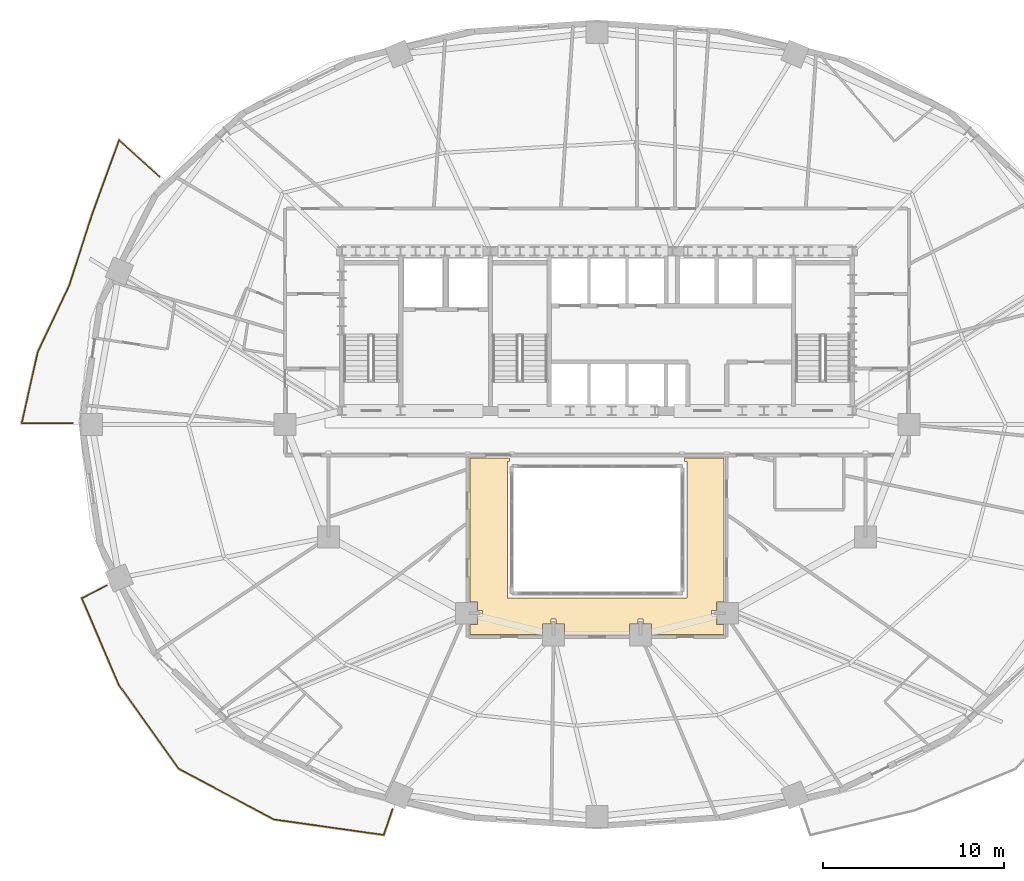
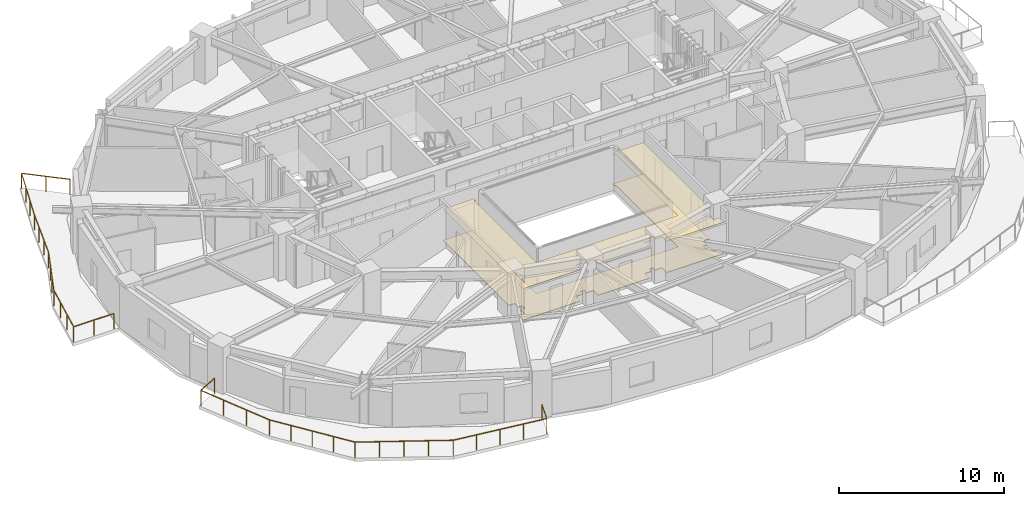
# One storey, part 12 of 14: 2 coverings, 2 railings.
"""IFC4 building model written with IfcOpenShell, lengths in metres."""

import ifcopenshell
import ifcopenshell.guid

model = None  # the IFC model being written
_history = None  # IfcOwnerHistory: only IFC2X3 demands one
_inside = {}  # id of a spatial element -> (the spatial element, [elements in it])
_under = {}  # id of a project, library or spatial element -> (it, [spatial elements below it])
_declared = {}  # id of a project -> (the project, [libraries it declares])
_typed = {}  # id of a type object -> (the type object, [elements of that type])
_made_of = {}  # id of a material, layer set ... -> (it, [elements and type objects made of it])


def new_model(schema):
    """Start an empty IFC model of exactly this schema.

    Asked for "IFC4X3", IfcOpenShell would pick the latest addendum, in which some entities
    have other attributes; the version numbers below select the first issue.
    IFC2X3 requires an IfcOwnerHistory on every rooted entity: one is made here for all.
    """
    global model, _history
    if schema == "IFC4X3":
        model = ifcopenshell.file(schema_version=(4, 3, 0, 0))
    else:
        model = ifcopenshell.file(schema=schema)
    _inside.clear()
    _under.clear()
    _declared.clear()
    _typed.clear()
    _made_of.clear()
    _history = None
    if model.schema == "IFC2X3":
        org = make("IfcOrganization", Name="unknown")
        user = make(
            "IfcPersonAndOrganization",
            ThePerson=make("IfcPerson", FamilyName="unknown"),
            TheOrganization=org,
        )
        app = make(
            "IfcApplication",
            ApplicationDeveloper=org,
            Version="unknown",
            ApplicationFullName="unknown",
            ApplicationIdentifier="unknown",
        )
        _history = make(
            "IfcOwnerHistory",
            OwningUser=user,
            OwningApplication=app,
            ChangeAction="ADDED",
            CreationDate=0,
        )
    return model


def make(cls, **values):
    """One entity of the class cls with the attributes given. An attribute that is None is left unset."""
    return model.create_entity(
        cls, **{name: value for name, value in values.items() if value is not None}
    )


def rooted(cls, **values):
    """An entity with a GlobalId (a new one), such as an element, a storey or a relation."""
    return make(cls, GlobalId=ifcopenshell.guid.new(), OwnerHistory=_history, **values)


def si_unit(unit_type, name, prefix=None):
    """IfcSIUnit, for example si_unit("LENGTHUNIT", "METRE", prefix="MILLI")."""
    return make("IfcSIUnit", UnitType=unit_type, Prefix=prefix, Name=name)


def assignment(units):
    """IfcUnitAssignment: the units of a project."""
    return None if units is None else make("IfcUnitAssignment", Units=units)


def point(xyz):
    """IfcCartesianPoint."""
    return None if xyz is None else make("IfcCartesianPoint", Coordinates=xyz)


def direction(xyz):
    """IfcDirection."""
    return None if xyz is None else make("IfcDirection", DirectionRatios=xyz)


def frame(location, z_axis=None, x_axis=None):
    """IfcAxis2Placement3D, a coordinate frame: its origin and axes. An axis left out is left unset."""
    return make(
        "IfcAxis2Placement3D",
        Location=point(location),
        Axis=direction(z_axis),
        RefDirection=direction(x_axis),
    )


def frame_2d(location, x_axis=None):
    """IfcAxis2Placement2D, a coordinate frame in the plane: its origin and x axis."""
    return make(
        "IfcAxis2Placement2D", Location=point(location), RefDirection=direction(x_axis)
    )


def origin():
    """The frame at (0, 0, 0) with its axes left unset."""
    return frame((0.0, 0.0, 0.0))


def origin_2d():
    """The frame at (0, 0) in the plane with its x axis left unset."""
    return frame_2d((0.0, 0.0))


def place(relative_to, where):
    """IfcLocalPlacement: puts the frame where relative to a parent placement (None: the world)."""
    return make(
        "IfcLocalPlacement", PlacementRelTo=relative_to, RelativePlacement=where
    )


def context(
    kind, dimensions, precision=None, world=None, true_north=None, identifier=None
):
    """IfcGeometricRepresentationContext, for example the 3D "Model" context."""
    return make(
        "IfcGeometricRepresentationContext",
        ContextIdentifier=identifier,
        ContextType=kind,
        CoordinateSpaceDimension=dimensions,
        Precision=precision,
        WorldCoordinateSystem=world,
        TrueNorth=true_north,
    )


def subcontext(parent, identifier, kind, view, scale=None):
    """IfcGeometricRepresentationSubContext, for example "Body" below "Model"."""
    return make(
        "IfcGeometricRepresentationSubContext",
        ContextIdentifier=identifier,
        ContextType=kind,
        ParentContext=parent,
        TargetScale=scale,
        TargetView=view,
    )


def project(units=None, contexts=None):
    """IfcProject with its units and contexts."""
    return rooted(
        "IfcProject",
        Name="project",
        RepresentationContexts=contexts,
        UnitsInContext=assignment(units),
    )


def spatial(cls, under=None, at=None, **own):
    """A site, building, storey or space (cls), placed at a placement, below another one or the project."""
    s = rooted(cls, ObjectPlacement=at, **own)
    if under is not None:
        _under.setdefault(under.id(), (under, []))[1].append(s)
    return s


def polyline(points):
    """IfcPolyline through the points."""
    return make("IfcPolyline", Points=[point(p) for p in points])


def profile(cls, at=None, kind="AREA", **sizes):
    """A parametric profile (cls). Its sizes go by their IFC names, for example OverallWidth=200.0."""
    return make(cls, ProfileType=kind, Position=at, **sizes)


def rectangle(**sizes):
    """IfcRectangleProfileDef."""
    return profile("IfcRectangleProfileDef", **sizes)


def outline(outer, holes=None, kind="AREA"):
    """IfcArbitraryClosedProfileDef: a profile drawn as a closed curve; with holes, ...WithVoids."""
    if holes is None:
        return make("IfcArbitraryClosedProfileDef", ProfileType=kind, OuterCurve=outer)
    return make(
        "IfcArbitraryProfileDefWithVoids",
        ProfileType=kind,
        OuterCurve=outer,
        InnerCurves=holes,
    )


def extrude(swept, where, along, depth):
    """IfcExtrudedAreaSolid: the profile swept, set in the frame where, extruded along a direction by depth."""
    return make(
        "IfcExtrudedAreaSolid",
        SweptArea=swept,
        Position=where,
        ExtrudedDirection=direction(along),
        Depth=depth,
    )


def shape(context_of_items, identifier, shape_type, items):
    """IfcShapeRepresentation: the items that make up one representation, for example the "Body"."""
    return make(
        "IfcShapeRepresentation",
        ContextOfItems=context_of_items,
        RepresentationIdentifier=identifier,
        RepresentationType=shape_type,
        Items=items,
    )


def material(Name=None, Category=None):
    """IfcMaterial."""
    return make("IfcMaterial", Name=Name, Category=Category)


def layer(
    of_material, thickness, ventilated=None, Name=None, Category=None, Priority=None
):
    """IfcMaterialLayer: one layer of a wall or slab, of a material (None: an air gap)."""
    return make(
        "IfcMaterialLayer",
        Material=of_material,
        LayerThickness=thickness,
        IsVentilated=ventilated,
        Name=Name,
        Category=Category,
        Priority=Priority,
    )


def layer_set(layers, Name=None):
    """IfcMaterialLayerSet."""
    return make("IfcMaterialLayerSet", MaterialLayers=layers, LayerSetName=Name)


def made_of(thing, what):
    """Note that an element or type object is made of a material, layer set ...; save() writes the relation."""
    if what is not None:
        _made_of.setdefault(what.id(), (what, []))[1].append(thing)
    return thing


def type_object(cls, material=None, **own):
    """A type object (cls), such as IfcWallType, which elements share."""
    return made_of(rooted(cls, **own), material)


def element(
    cls,
    number,
    at=None,
    inside=None,
    cuts=None,
    type_object=None,
    material=None,
    context=None,
    identifier="Body",
    shape_type=None,
    held_by="IfcProductDefinitionShape",
    body=None,
    shapes=None,
    **own,
):
    """One element of the class cls, such as IfcWall. Its Tag is "e" and its number.

    at: its placement. inside: the storey or other place that contains it. cuts: it is an
    opening in that element (IfcRelVoidsElement). A single representation is given by context,
    identifier, shape_type and body (its items); several are given by shapes. held_by: the class
    of the entity that holds the representations. save() writes the other relations.
    """
    e = rooted(cls, Tag="e%d" % number, ObjectPlacement=at, **own)
    if body is not None:
        shapes = [shape(context, identifier, shape_type, body)]
    if shapes is not None:
        e.Representation = make(held_by, Representations=shapes)
    if inside is not None:
        _inside.setdefault(inside.id(), (inside, []))[1].append(e)
    if cuts is not None:
        rooted(
            "IfcRelVoidsElement", RelatingBuildingElement=cuts, RelatedOpeningElement=e
        )
    if type_object is not None:
        _typed.setdefault(type_object.id(), (type_object, []))[1].append(e)
    return made_of(e, material)


def aggregate(whole, parts):
    """IfcRelAggregates: a whole, such as a stair, and the parts it consists of."""
    return rooted("IfcRelAggregates", RelatingObject=whole, RelatedObjects=parts)


def save(model, path):
    """Write the relations noted so far, then the file.

    IfcRelAggregates (storeys below a building ...), IfcRelContainedInSpatialStructure (elements
    in a storey), IfcRelDefinesByType, IfcRelAssociatesMaterial and IfcRelDeclares: one each for
    every whole, place, type object, material and project.
    """
    for whole, parts in _under.values():
        aggregate(whole, parts)
    for where, things in _inside.values():
        rooted(
            "IfcRelContainedInSpatialStructure",
            RelatedElements=things,
            RelatingStructure=where,
        )
    for kind, things in _typed.values():
        rooted("IfcRelDefinesByType", RelatedObjects=things, RelatingType=kind)
    for what, things in _made_of.values():
        rooted("IfcRelAssociatesMaterial", RelatedObjects=things, RelatingMaterial=what)
    for by, libraries in _declared.values():
        rooted("IfcRelDeclares", RelatingContext=by, RelatedDefinitions=libraries)
    model.write(path)


model = new_model("IFC4")

# Units and contexts
model_context = context("Model", 3, precision=1e-05, world=origin(), true_north=direction((0.0, 1.0)))
body_context = subcontext(model_context, "Body", "Model", "MODEL_VIEW")
ifc_project = project(units=[si_unit("LENGTHUNIT", "METRE"), si_unit("AREAUNIT", "SQUARE_METRE"), si_unit("VOLUMEUNIT", "CUBIC_METRE"), si_unit("PLANEANGLEUNIT", "RADIAN"), si_unit("MASSUNIT", "GRAM", prefix="KILO")], contexts=[model_context])

# Site, building, storey
site_placement = place(None, origin())
site = spatial("IfcSite", under=ifc_project, at=site_placement, CompositionType="ELEMENT")
building_placement = place(site_placement, origin())
building = spatial("IfcBuilding", under=site, at=building_placement, Name="Haldorwick Loom Tower", CompositionType="ELEMENT")
storey_placement = place(building_placement, frame((0.0, 0.0, 99.050048828125)))
storey = spatial("IfcBuildingStorey", under=building, at=storey_placement, Name="L26", CompositionType="ELEMENT", Elevation=99.050048828125)

# Coverings
ifc_material_1 = material(Name="Mineral Fibre Acoustic Ceiling Tile")
ifc_layer_1 = layer(ifc_material_1, 0.054931640625, Name="Mineral Fibre Acoustic Ceiling Tile")
ifc_layer_set_1 = layer_set([ifc_layer_1], Name="Mineral Fibre Acoustic Ceiling Tile")
covering_type_1 = type_object("IfcCoveringType", Name="ARC-COV-CEIL2", PredefinedType="CEILING", material=ifc_layer_set_1)
covering_1_placement = place(storey_placement, frame((0.0, 0.0, 2.302001953125)))
element("IfcCovering", 1, at=covering_1_placement, inside=storey, type_object=covering_type_1, Name="L26 Acoustic Suspended Ceiling 1", PredefinedType="CEILING", context=body_context, shape_type="SweptSolid", body=[
    extrude(outline(polyline([(33.719970703125, 15.2900390625), (33.721923828125, 15.289794921875), (33.723876953125, 15.28955078125), (33.725830078125, 15.2890625), (33.727783203125, 15.28857421875), (33.7294921875, 15.28759765625), (33.731201171875, 15.28662109375), (33.732666015625, 15.285400390625), (33.734130859375, 15.2841796875), (33.735595703125, 15.28271484375), (33.736572265625, 15.281005859375), (33.737548828125, 15.279296875), (33.738525390625, 15.277587890625), (33.739013671875, 15.27587890625), (33.739501953125, 15.27392578125), (33.739990234375, 15.27197265625), (33.739990234375, 15.27001953125), (33.739990234375, 15.008056640625), (34.2080078125, 15.008056640625), (34.2080078125, 14.43994140625), (37.7919921875, 14.43994140625), (37.7919921875, 15.008056640625), (38.260009765625, 15.008056640625), (38.260009765625, 15.27001953125), (38.260009765625, 15.27197265625), (38.260498046875, 15.27392578125), (38.260986328125, 15.27587890625), (38.261474609375, 15.277587890625), (38.262451171875, 15.279296875), (38.263427734375, 15.281005859375), (38.264404296875, 15.28271484375), (38.265869140625, 15.2841796875), (38.267333984375, 15.285400390625), (38.268798828125, 15.28662109375), (38.2705078125, 15.28759765625), (38.272216796875, 15.28857421875), (38.274169921875, 15.2890625), (38.276123046875, 15.28955078125), (38.278076171875, 15.289794921875), (38.280029296875, 15.2900390625), (38.52001953125, 15.2900390625), (38.52197265625, 15.289794921875), (38.52392578125, 15.28955078125), (38.52587890625, 15.2890625), (38.527587890625, 15.28857421875), (38.529296875, 15.28759765625), (38.531005859375, 15.28662109375), (38.53271484375, 15.285400390625), (38.5341796875, 15.2841796875), (38.535400390625, 15.28271484375), (38.53662109375, 15.281005859375), (38.53759765625, 15.279541015625), (38.53857421875, 15.277587890625), (38.5390625, 15.27587890625), (38.53955078125, 15.27392578125), (38.539794921875, 15.27197265625), (38.5400390625, 15.27001953125), (38.54052734375, 15.008056640625), (39.008056640625, 15.008056640625), (39.008056640625, 14.43994140625), (43.010009765625, 14.43994140625), (43.010009765625, 14.991943359375), (42.592041015625, 14.991943359375), (42.592041015625, 15.4599609375), (42.330078125, 15.4599609375), (42.327880859375, 15.460205078125), (42.326171875, 15.46044921875), (42.32421875, 15.4609375), (42.322265625, 15.46142578125), (42.320556640625, 15.46240234375), (42.31884765625, 15.46337890625), (42.3173828125, 15.464599609375), (42.31591796875, 15.4658203125), (42.314453125, 15.46728515625), (42.3134765625, 15.468994140625), (42.3125, 15.470703125), (42.3115234375, 15.472412109375), (42.310791015625, 15.47412109375), (42.310302734375, 15.47607421875), (42.31005859375, 15.47802734375), (42.31005859375, 15.47998046875), (42.31005859375, 15.719970703125), (42.31005859375, 15.721923828125), (42.310302734375, 15.723876953125), (42.310791015625, 15.725830078125), (42.3115234375, 15.727783203125), (42.3125, 15.7294921875), (42.3134765625, 15.731201171875), (42.314453125, 15.732666015625), (42.31591796875, 15.734130859375), (42.3173828125, 15.735595703125), (42.31884765625, 15.736572265625), (42.320556640625, 15.737548828125), (42.322265625, 15.738525390625), (42.32421875, 15.739013671875), (42.326171875, 15.739501953125), (42.327880859375, 15.739990234375), (42.330078125, 15.739990234375), (42.592041015625, 15.739990234375), (42.592041015625, 16.2080078125), (43.010009765625, 16.2080078125), (43.010009765625, 24.159912109375), (40.820068359375, 24.159912109375), (40.820068359375, 23.949951171875), (40.949951171875, 23.949951171875), (40.949951171875, 16.449951171875), (31.050048828125, 16.449951171875), (31.050048828125, 23.949951171875), (31.179931640625, 23.949951171875), (31.179931640625, 24.159912109375), (28.989990234375, 24.159912109375), (28.989990234375, 16.2080078125), (29.407958984375, 16.2080078125), (29.407958984375, 15.739990234375), (29.669921875, 15.739990234375), (29.672119140625, 15.739990234375), (29.673828125, 15.739501953125), (29.67578125, 15.739013671875), (29.677734375, 15.738525390625), (29.679443359375, 15.737548828125), (29.68115234375, 15.736572265625), (29.6826171875, 15.735595703125), (29.68408203125, 15.734130859375), (29.685546875, 15.732666015625), (29.6865234375, 15.731201171875), (29.6875, 15.7294921875), (29.6884765625, 15.727783203125), (29.689208984375, 15.725830078125), (29.689697265625, 15.723876953125), (29.68994140625, 15.721923828125), (29.68994140625, 15.719970703125), (29.68994140625, 15.47998046875), (29.68994140625, 15.47802734375), (29.689697265625, 15.47607421875), (29.689208984375, 15.47412109375), (29.6884765625, 15.472412109375), (29.6875, 15.470703125), (29.6865234375, 15.468994140625), (29.685546875, 15.46728515625), (29.68408203125, 15.4658203125), (29.6826171875, 15.464599609375), (29.68115234375, 15.46337890625), (29.679443359375, 15.46240234375), (29.677734375, 15.46142578125), (29.67578125, 15.4609375), (29.673828125, 15.46044921875), (29.672119140625, 15.460205078125), (29.669921875, 15.4599609375), (29.407958984375, 15.4599609375), (29.407958984375, 14.991943359375), (28.989990234375, 14.991943359375), (28.989990234375, 14.43994140625), (32.991943359375, 14.43994140625), (32.991943359375, 15.008056640625), (33.4599609375, 15.008056640625), (33.4599609375, 15.27001953125), (33.460205078125, 15.27197265625), (33.46044921875, 15.27392578125), (33.4609375, 15.27587890625), (33.46142578125, 15.277587890625), (33.46240234375, 15.279296875), (33.46337890625, 15.281005859375), (33.464599609375, 15.28271484375), (33.4658203125, 15.2841796875), (33.46728515625, 15.285400390625), (33.468994140625, 15.28662109375), (33.470703125, 15.28759765625), (33.472412109375, 15.28857421875), (33.47412109375, 15.2890625), (33.47607421875, 15.28955078125), (33.47802734375, 15.289794921875), (33.47998046875, 15.2900390625), (33.719970703125, 15.2900390625)])), origin(), (0.0, 0.0, 1.0), 0.054931640625),
])
ifc_material_2 = material(Name="Polished Aggregate Terrazzo Finish")
ifc_layer_2 = layer(ifc_material_2, 0.044921875, Name="Polished Aggregate Terrazzo Finish")
ifc_layer_set_2 = layer_set([ifc_layer_2], Name="Polished Aggregate Terrazzo Finish")
covering_type_2 = type_object("IfcCoveringType", Name="ARC-COV-FLOOR2", PredefinedType="FLOORING", material=ifc_layer_set_2)
covering_2_placement = place(storey_placement, origin())
element("IfcCovering", 2, at=covering_2_placement, inside=storey, type_object=covering_type_2, Name="L26 Floor Finish 1", PredefinedType="FLOORING", context=body_context, shape_type="SweptSolid", body=[
    extrude(outline(polyline([(33.719970703125, 15.2900390625), (33.721923828125, 15.289794921875), (33.723876953125, 15.28955078125), (33.725830078125, 15.2890625), (33.727783203125, 15.28857421875), (33.7294921875, 15.28759765625), (33.731201171875, 15.28662109375), (33.732666015625, 15.285400390625), (33.734130859375, 15.2841796875), (33.735595703125, 15.28271484375), (33.736572265625, 15.281005859375), (33.737548828125, 15.279296875), (33.738525390625, 15.277587890625), (33.739013671875, 15.27587890625), (33.739501953125, 15.27392578125), (33.739990234375, 15.27197265625), (33.739990234375, 15.27001953125), (33.739990234375, 15.008056640625), (34.2080078125, 15.008056640625), (34.2080078125, 14.43994140625), (37.7919921875, 14.43994140625), (37.7919921875, 15.008056640625), (38.260009765625, 15.008056640625), (38.260009765625, 15.27001953125), (38.260009765625, 15.27197265625), (38.260498046875, 15.27392578125), (38.260986328125, 15.27587890625), (38.261474609375, 15.277587890625), (38.262451171875, 15.279296875), (38.263427734375, 15.281005859375), (38.264404296875, 15.28271484375), (38.265869140625, 15.2841796875), (38.267333984375, 15.285400390625), (38.268798828125, 15.28662109375), (38.2705078125, 15.28759765625), (38.272216796875, 15.28857421875), (38.274169921875, 15.2890625), (38.276123046875, 15.28955078125), (38.278076171875, 15.289794921875), (38.280029296875, 15.2900390625), (38.52001953125, 15.2900390625), (38.52197265625, 15.289794921875), (38.52392578125, 15.28955078125), (38.52587890625, 15.2890625), (38.527587890625, 15.28857421875), (38.529296875, 15.28759765625), (38.531005859375, 15.28662109375), (38.53271484375, 15.285400390625), (38.5341796875, 15.2841796875), (38.535400390625, 15.28271484375), (38.53662109375, 15.281005859375), (38.53759765625, 15.279541015625), (38.53857421875, 15.277587890625), (38.5390625, 15.27587890625), (38.53955078125, 15.27392578125), (38.539794921875, 15.27197265625), (38.5400390625, 15.27001953125), (38.54052734375, 15.008056640625), (39.008056640625, 15.008056640625), (39.008056640625, 14.43994140625), (43.010009765625, 14.43994140625), (43.010009765625, 14.991943359375), (42.592041015625, 14.991943359375), (42.592041015625, 15.4599609375), (42.330078125, 15.4599609375), (42.327880859375, 15.460205078125), (42.326171875, 15.46044921875), (42.32421875, 15.4609375), (42.322265625, 15.46142578125), (42.320556640625, 15.46240234375), (42.31884765625, 15.46337890625), (42.3173828125, 15.464599609375), (42.31591796875, 15.4658203125), (42.314453125, 15.46728515625), (42.3134765625, 15.468994140625), (42.3125, 15.470703125), (42.3115234375, 15.472412109375), (42.310791015625, 15.47412109375), (42.310302734375, 15.47607421875), (42.31005859375, 15.47802734375), (42.31005859375, 15.47998046875), (42.31005859375, 15.719970703125), (42.31005859375, 15.721923828125), (42.310302734375, 15.723876953125), (42.310791015625, 15.725830078125), (42.3115234375, 15.727783203125), (42.3125, 15.7294921875), (42.3134765625, 15.731201171875), (42.314453125, 15.732666015625), (42.31591796875, 15.734130859375), (42.3173828125, 15.735595703125), (42.31884765625, 15.736572265625), (42.320556640625, 15.737548828125), (42.322265625, 15.738525390625), (42.32421875, 15.739013671875), (42.326171875, 15.739501953125), (42.327880859375, 15.739990234375), (42.330078125, 15.739990234375), (42.592041015625, 15.739990234375), (42.592041015625, 16.2080078125), (43.010009765625, 16.2080078125), (43.010009765625, 24.159912109375), (40.820068359375, 24.159912109375), (40.820068359375, 23.949951171875), (40.949951171875, 23.949951171875), (40.949951171875, 16.449951171875), (31.050048828125, 16.449951171875), (31.050048828125, 23.949951171875), (31.179931640625, 23.949951171875), (31.179931640625, 24.159912109375), (28.989990234375, 24.159912109375), (28.989990234375, 16.2080078125), (29.407958984375, 16.2080078125), (29.407958984375, 15.739990234375), (29.669921875, 15.739990234375), (29.672119140625, 15.739990234375), (29.673828125, 15.739501953125), (29.67578125, 15.739013671875), (29.677734375, 15.738525390625), (29.679443359375, 15.737548828125), (29.68115234375, 15.736572265625), (29.6826171875, 15.735595703125), (29.68408203125, 15.734130859375), (29.685546875, 15.732666015625), (29.6865234375, 15.731201171875), (29.6875, 15.7294921875), (29.6884765625, 15.727783203125), (29.689208984375, 15.725830078125), (29.689697265625, 15.723876953125), (29.68994140625, 15.721923828125), (29.68994140625, 15.719970703125), (29.68994140625, 15.47998046875), (29.68994140625, 15.47802734375), (29.689697265625, 15.47607421875), (29.689208984375, 15.47412109375), (29.6884765625, 15.472412109375), (29.6875, 15.470703125), (29.6865234375, 15.468994140625), (29.685546875, 15.46728515625), (29.68408203125, 15.4658203125), (29.6826171875, 15.464599609375), (29.68115234375, 15.46337890625), (29.679443359375, 15.46240234375), (29.677734375, 15.46142578125), (29.67578125, 15.4609375), (29.673828125, 15.46044921875), (29.672119140625, 15.460205078125), (29.669921875, 15.4599609375), (29.407958984375, 15.4599609375), (29.407958984375, 14.991943359375), (28.989990234375, 14.991943359375), (28.989990234375, 14.43994140625), (32.991943359375, 14.43994140625), (32.991943359375, 15.008056640625), (33.4599609375, 15.008056640625), (33.4599609375, 15.27001953125), (33.460205078125, 15.27197265625), (33.46044921875, 15.27392578125), (33.4609375, 15.27587890625), (33.46142578125, 15.277587890625), (33.46240234375, 15.279296875), (33.46337890625, 15.281005859375), (33.464599609375, 15.28271484375), (33.4658203125, 15.2841796875), (33.46728515625, 15.285400390625), (33.468994140625, 15.28662109375), (33.470703125, 15.28759765625), (33.472412109375, 15.28857421875), (33.47412109375, 15.2890625), (33.47607421875, 15.28955078125), (33.47802734375, 15.289794921875), (33.47998046875, 15.2900390625), (33.719970703125, 15.2900390625)])), origin(), (0.0, 0.0, 1.0), 0.044921875),
])

# Railings
ifc_material_3 = material(Name="Galvanized Steel CSA G40.21 350W", Category="steel")
railing_type = type_object("IfcRailingType", Name="ARC-RLG-BAL115", PredefinedType="BALUSTRADE", material=ifc_material_3)
railing_1_placement = place(storey_placement, frame((24.7255859375, 4.806640625, 0.0)))
element("IfcRailing", 3, at=railing_1_placement, inside=storey, type_object=railing_type, Name="L26 Outdoor Terrace Guardrail SLB-L26-BAL_SW-1", PredefinedType="BALUSTRADE", context=body_context, shape_type="SweptSolid", body=[
    extrude(rectangle(XDim=0.048095703125, YDim=0.048095703125, at=origin_2d()), frame((0.0, 0.0, 1.1259765625), z_axis=(-0.322495651045, -0.946570945602, 0.0), x_axis=(0.946570945602, -0.322495651045, 0.0)), (0.0, 0.0, 1.0), 1.505859375),
    extrude(rectangle(XDim=0.048095703125, YDim=0.048095703125, at=origin_2d()), frame((-0.485595703125, -1.42529296875, 1.1259765625), z_axis=(-0.990214204772, 0.139555826346, 0.0), x_axis=(-0.139555826346, -0.990214204772, 0.0)), (0.0, 0.0, 1.0), 6.10205078125),
    extrude(rectangle(XDim=0.048095703125, YDim=0.048095703125, at=origin_2d()), frame((-6.52783203125, -0.57373046875, 1.1259765625), z_axis=(-0.882850640065, 0.469653859068, 0.0), x_axis=(-0.469653859068, -0.882850640065, 0.0)), (0.0, 0.0, 1.0), 5.941650390625),
    extrude(rectangle(XDim=0.048095703125, YDim=0.048095703125, at=origin_2d()), frame((-11.7734375, 2.216796875, 1.1259765625), z_axis=(-0.581797568397, 0.813333627368, 0.0), x_axis=(-0.813333627368, -0.581797568397, 0.0)), (0.0, 0.0, 1.0), 5.696044921875),
    extrude(rectangle(XDim=0.048095703125, YDim=0.048095703125, at=origin_2d()), frame((-15.08740234375, 6.849609375, 1.1259765625), z_axis=(-0.392692362195, 0.919669891142, 0.0), x_axis=(-0.919669891142, -0.392692362195, 0.0)), (0.0, 0.0, 1.0), 5.188720703125),
    extrude(rectangle(XDim=0.048095703125, YDim=0.048095703125, at=origin_2d()), frame((-17.125, 11.62158203125, 1.1259765625), z_axis=(0.891935865166, 0.452161931647, 0.0), x_axis=(-0.452161931647, 0.891935865166, 0.0)), (0.0, 0.0, 1.0), 1.537109375),
    extrude(rectangle(XDim=0.0419921875, YDim=0.0419921875, at=origin_2d()), origin(), (0.0, 0.0, 1.0), 1.101806640625),
    extrude(rectangle(XDim=0.0419921875, YDim=0.0419921875, at=origin_2d()), frame((-0.485595703125, -1.42529296875, 0.0)), (0.0, 0.0, 1.0), 1.101806640625),
    extrude(rectangle(XDim=0.0419921875, YDim=0.0419921875, at=origin_2d()), frame((-1.99609375, -1.21240234375, 0.0)), (0.0, 0.0, 1.0), 1.101806640625),
    extrude(rectangle(XDim=0.0419921875, YDim=0.0419921875, at=origin_2d()), frame((-3.5068359375, -0.99951171875, 0.0)), (0.0, 0.0, 1.0), 1.101806640625),
    extrude(rectangle(XDim=0.0419921875, YDim=0.0419921875, at=origin_2d()), frame((-5.017333984375, -0.78662109375, 0.0)), (0.0, 0.0, 1.0), 1.101806640625),
    extrude(rectangle(XDim=0.0419921875, YDim=0.0419921875, at=origin_2d()), frame((-6.52783203125, -0.57373046875, 0.0)), (0.0, 0.0, 1.0), 1.101806640625),
    extrude(rectangle(XDim=0.0419921875, YDim=0.0419921875, at=origin_2d()), frame((-7.83935546875, 0.1240234375, 0.0)), (0.0, 0.0, 1.0), 1.101806640625),
    extrude(rectangle(XDim=0.0419921875, YDim=0.0419921875, at=origin_2d()), frame((-9.150634765625, 0.821533203125, 0.0)), (0.0, 0.0, 1.0), 1.101806640625),
    extrude(rectangle(XDim=0.0419921875, YDim=0.0419921875, at=origin_2d()), frame((-10.4619140625, 1.51904296875, 0.0)), (0.0, 0.0, 1.0), 1.101806640625),
    extrude(rectangle(XDim=0.0419921875, YDim=0.0419921875, at=origin_2d()), frame((-11.7734375, 2.216796875, 0.0)), (0.0, 0.0, 1.0), 1.101806640625),
    extrude(rectangle(XDim=0.0419921875, YDim=0.0419921875, at=origin_2d()), frame((-12.60205078125, 3.375, 0.0)), (0.0, 0.0, 1.0), 1.101806640625),
    extrude(rectangle(XDim=0.0419921875, YDim=0.0419921875, at=origin_2d()), frame((-13.430419921875, 4.533203125, 0.0)), (0.0, 0.0, 1.0), 1.101806640625),
    extrude(rectangle(XDim=0.0419921875, YDim=0.0419921875, at=origin_2d()), frame((-14.2587890625, 5.69140625, 0.0)), (0.0, 0.0, 1.0), 1.101806640625),
    extrude(rectangle(XDim=0.0419921875, YDim=0.0419921875, at=origin_2d()), frame((-15.08740234375, 6.849609375, 0.0)), (0.0, 0.0, 1.0), 1.101806640625),
    extrude(rectangle(XDim=0.0419921875, YDim=0.0419921875, at=origin_2d()), frame((-15.7666015625, 8.440185546875, 0.0)), (0.0, 0.0, 1.0), 1.101806640625),
    extrude(rectangle(XDim=0.0419921875, YDim=0.0419921875, at=origin_2d()), frame((-16.44580078125, 10.031005859375, 0.0)), (0.0, 0.0, 1.0), 1.101806640625),
    extrude(rectangle(XDim=0.0419921875, YDim=0.0419921875, at=origin_2d()), frame((-17.125, 11.62158203125, 0.0)), (0.0, 0.0, 1.0), 1.101806640625),
    extrude(rectangle(XDim=0.0419921875, YDim=0.0419921875, at=origin_2d()), frame((-15.75390625, 12.316650390625, 0.0)), (0.0, 0.0, 1.0), 1.101806640625),
])
railing_2_placement = place(storey_placement, frame((7.09912109375, 26.080078125, 0.0)))
element("IfcRailing", 4, at=railing_2_placement, inside=storey, type_object=railing_type, Name="L26 Outdoor Terrace Guardrail SLB-L26-BAL_WNW-1", PredefinedType="BALUSTRADE", context=body_context, shape_type="SweptSolid", body=[
    extrude(rectangle(XDim=0.048095703125, YDim=0.048095703125, at=origin_2d()), frame((0.0, 0.0, 1.1259765625), z_axis=(-1.0, 0.0, 0.0), x_axis=(0.0, -1.0, 0.0)), (0.0, 0.0, 1.0), 2.806884765625),
    extrude(rectangle(XDim=0.048095703125, YDim=0.048095703125, at=origin_2d()), frame((-2.806884765625, 0.0, 1.1259765625), z_axis=(0.218854130939, 0.975757587401, 0.0), x_axis=(-0.975757587401, 0.218854130939, 0.0)), (0.0, 0.0, 1.0), 4.01708984375),
    extrude(rectangle(XDim=0.048095703125, YDim=0.048095703125, at=origin_2d()), frame((-1.927734375, 3.919677734375, 1.1259765625), z_axis=(0.429473394358, 0.903079511194, 0.0), x_axis=(-0.903079511194, 0.429473394358, 0.0)), (0.0, 0.0, 1.0), 4.01611328125),
    extrude(rectangle(XDim=0.048095703125, YDim=0.048095703125, at=origin_2d()), frame((-0.202880859375, 7.546630859375, 1.1259765625), z_axis=(0.363542485653, 0.931577619485, 0.0), x_axis=(-0.931577619485, 0.363542485653, 0.0)), (0.0, 0.0, 1.0), 0.0107421875),
    extrude(rectangle(XDim=0.048095703125, YDim=0.048095703125, at=origin_2d()), frame((-0.198974609375, 7.556640625, 1.1259765625), z_axis=(0.30505541462, 0.952334601918, 0.0), x_axis=(-0.952334601918, 0.30505541462, 0.0)), (0.0, 0.0, 1.0), 4.085693359375),
    extrude(rectangle(XDim=0.048095703125, YDim=0.048095703125, at=origin_2d()), frame((1.04736328125, 11.447509765625, 1.1259765625), z_axis=(0.342271759073, 0.93960100199, 0.0), x_axis=(-0.93960100199, 0.342271759073, 0.0)), (0.0, 0.0, 1.0), 4.41162109375),
    extrude(rectangle(XDim=0.048095703125, YDim=0.048095703125, at=origin_2d()), frame((2.557373046875, 15.5927734375, 1.1259765625), z_axis=(0.741606999005, -0.670834598859, 0.0), x_axis=(0.670834598859, 0.741606999005, 0.0)), (0.0, 0.0, 1.0), 3.004638671875),
    extrude(rectangle(XDim=0.0419921875, YDim=0.0419921875, at=origin_2d()), origin(), (0.0, 0.0, 1.0), 1.101806640625),
    extrude(rectangle(XDim=0.0419921875, YDim=0.0419921875, at=origin_2d()), frame((-1.4033203125, 0.0, 0.0)), (0.0, 0.0, 1.0), 1.101806640625),
    extrude(rectangle(XDim=0.0419921875, YDim=0.0419921875, at=origin_2d()), frame((-2.806884765625, 0.0, 0.0)), (0.0, 0.0, 1.0), 1.101806640625),
    extrude(rectangle(XDim=0.0419921875, YDim=0.0419921875, at=origin_2d()), frame((-2.513916015625, 1.306640625, 0.0)), (0.0, 0.0, 1.0), 1.101806640625),
    extrude(rectangle(XDim=0.0419921875, YDim=0.0419921875, at=origin_2d()), frame((-2.220703125, 2.613037109375, 0.0)), (0.0, 0.0, 1.0), 1.101806640625),
    extrude(rectangle(XDim=0.0419921875, YDim=0.0419921875, at=origin_2d()), frame((-1.927734375, 3.919677734375, 0.0)), (0.0, 0.0, 1.0), 1.101806640625),
    extrude(rectangle(XDim=0.0419921875, YDim=0.0419921875, at=origin_2d()), frame((-1.352783203125, 5.128662109375, 0.0)), (0.0, 0.0, 1.0), 1.101806640625),
    extrude(rectangle(XDim=0.0419921875, YDim=0.0419921875, at=origin_2d()), frame((-0.77783203125, 6.337646484375, 0.0)), (0.0, 0.0, 1.0), 1.101806640625),
    extrude(rectangle(XDim=0.0419921875, YDim=0.0419921875, at=origin_2d()), frame((-0.202880859375, 7.546630859375, 0.0)), (0.0, 0.0, 1.0), 1.101806640625),
    extrude(rectangle(XDim=0.0419921875, YDim=0.0419921875, at=origin_2d()), frame((0.216552734375, 8.853515625, 0.0)), (0.0, 0.0, 1.0), 1.101806640625),
    extrude(rectangle(XDim=0.0419921875, YDim=0.0419921875, at=origin_2d()), frame((0.6318359375, 10.150634765625, 0.0)), (0.0, 0.0, 1.0), 1.101806640625),
    extrude(rectangle(XDim=0.0419921875, YDim=0.0419921875, at=origin_2d()), frame((1.04736328125, 11.447509765625, 0.0)), (0.0, 0.0, 1.0), 1.101806640625),
    extrude(rectangle(XDim=0.0419921875, YDim=0.0419921875, at=origin_2d()), frame((1.55078125, 12.829345703125, 0.0)), (0.0, 0.0, 1.0), 1.101806640625),
    extrude(rectangle(XDim=0.0419921875, YDim=0.0419921875, at=origin_2d()), frame((2.053955078125, 14.2109375, 0.0)), (0.0, 0.0, 1.0), 1.101806640625),
    extrude(rectangle(XDim=0.0419921875, YDim=0.0419921875, at=origin_2d()), frame((2.557373046875, 15.5927734375, 0.0)), (0.0, 0.0, 1.0), 1.101806640625),
    extrude(rectangle(XDim=0.0419921875, YDim=0.0419921875, at=origin_2d()), frame((3.67138671875, 14.5849609375, 0.0)), (0.0, 0.0, 1.0), 1.101806640625),
    extrude(rectangle(XDim=0.0419921875, YDim=0.0419921875, at=origin_2d()), frame((4.78564453125, 13.5771484375, 0.0)), (0.0, 0.0, 1.0), 1.101806640625),
])

save(model, "model.ifc")
